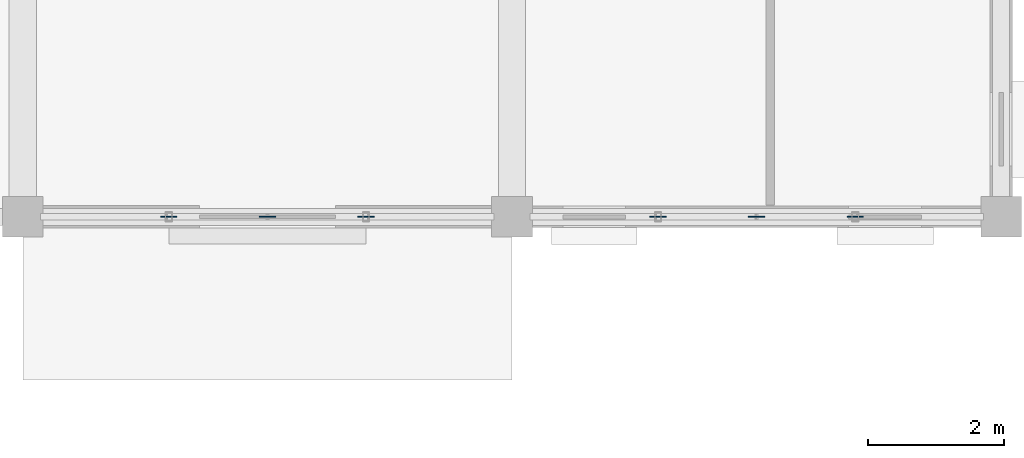
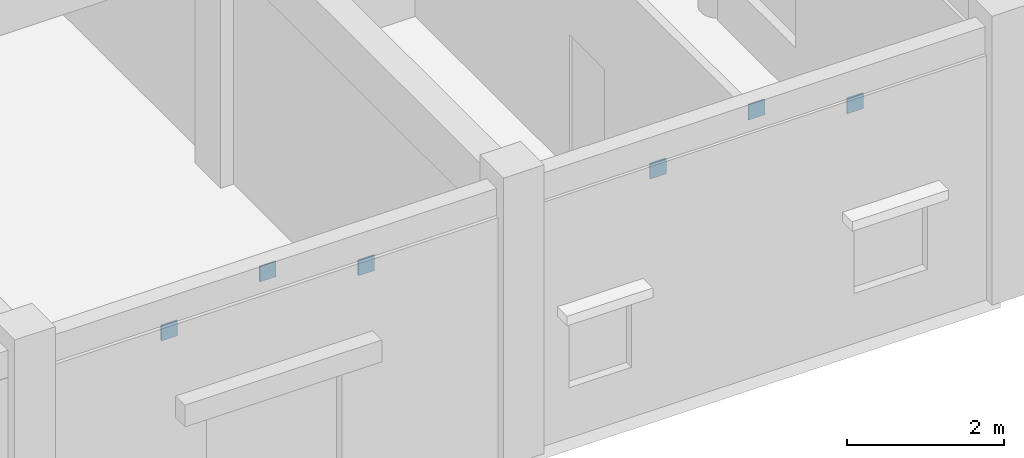
# One storey, part 91 of 138: 6 plates.
"""IFC4 building model written with IfcOpenShell, lengths in metres."""

from ifc_helpers import new_model, si_unit, direction, frame, origin, origin_2d, place, context, subcontext, project, spatial, rectangle, extrude, material, layer, layer_set, type_object, element, save


model = new_model("IFC4")

# Units and contexts
model_context = context("Model", 3, precision=1e-05, world=origin(), true_north=direction((0.0, 1.0)))
body_context = subcontext(model_context, "Body", "Model", "MODEL_VIEW")
ifc_project = project(units=[si_unit("LENGTHUNIT", "METRE"), si_unit("AREAUNIT", "SQUARE_METRE"), si_unit("VOLUMEUNIT", "CUBIC_METRE"), si_unit("PLANEANGLEUNIT", "RADIAN"), si_unit("MASSUNIT", "GRAM", prefix="KILO"), si_unit("THERMODYNAMICTEMPERATUREUNIT", "KELVIN"), si_unit("POWERUNIT", "WATT")], contexts=[model_context])

# Site, building, storey
site_placement = place(None, origin())
site = spatial("IfcSite", under=ifc_project, at=site_placement, CompositionType="ELEMENT")
building_placement = place(site_placement, origin())
building = spatial("IfcBuilding", under=site, at=building_placement, Name="Tavuni Mirador Residences", CompositionType="ELEMENT")
storey_placement = place(building_placement, origin())
storey = spatial("IfcBuildingStorey", under=building, at=storey_placement, Name="L00", CompositionType="ELEMENT", Elevation=0.0)

# Plates
ifc_material = material(Name="Structural steel S355", Category="steel")
ifc_layer = layer(ifc_material, 0.01806640625, Name="Structural steel S355", Category="steel")
ifc_layer_set = layer_set([ifc_layer], Name="Structural steel S355")
plate_type = type_object("IfcPlateType", Name="PLT-GP05", PredefinedType="USERDEFINED", material=ifc_layer_set)
for number, where, z_axis, x_axis, name in (
    (1, (63.347900390625, 144.0, 3.4921875), (0.0, 0.0, 1.0), (1.0, 0.0, 0.0), "ARCH-BLKC-S-06-GQ1"),
    (2, (64.800048828125, 144.0, 3.90478515625), (0.0, 0.0, 1.0), (1.0, 0.0, 0.0), "ARCH-BLKC-S-06-GCR"),
    (3, (66.251953125, 144.0, 3.4921875), (0.0, 0.0, 1.0), (1.0, 0.0, 0.0), "ARCH-BLKC-S-06-GQ2"),
    (4, (70.548095703125, 144.0, 3.4921875), (0.0, 0.0, 1.0), (1.0, 0.0, 0.0), "ARCH-BLKC-S-07-GQ1"),
    (5, (72.0, 144.0, 3.90478515625), (0.0, 0.0, 1.0), (1.0, 0.0, 0.0), "ARCH-BLKC-S-07-GCR"),
    (6, (73.451904296875, 144.0, 3.4921875), (0.0, 0.0, 1.0), (1.0, 0.0, 0.0), "ARCH-BLKC-S-07-GQ2"),
):
    element("IfcPlate", number, at=place(storey_placement, frame(where, z_axis=z_axis, x_axis=x_axis)), inside=storey, type_object=plate_type, Name=name, ObjectType="GUSSET PLATE", PredefinedType="USERDEFINED", context=body_context, shape_type="SweptSolid", body=[
        extrude(rectangle(XDim=0.239990234375, YDim=0.02001953125, at=origin_2d()), origin(), (0.0, 0.0, 1.0), 0.239990234375),
    ])

save(model, "model.ifc")
